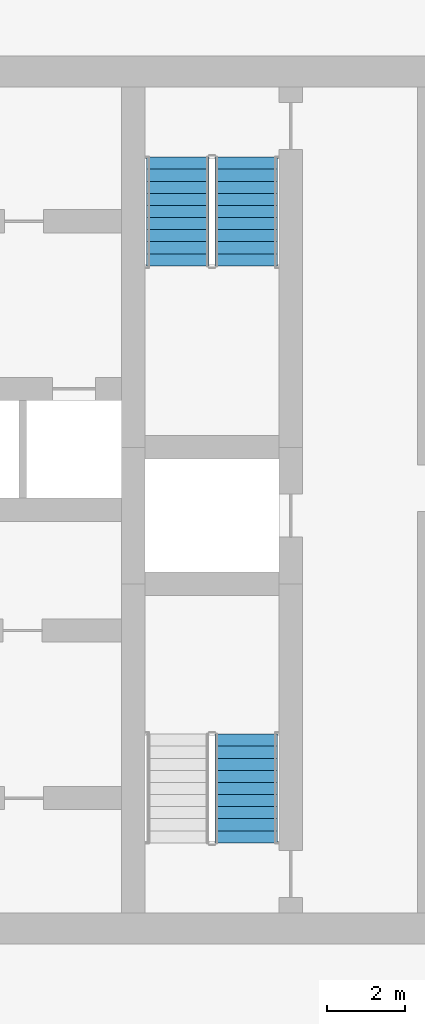
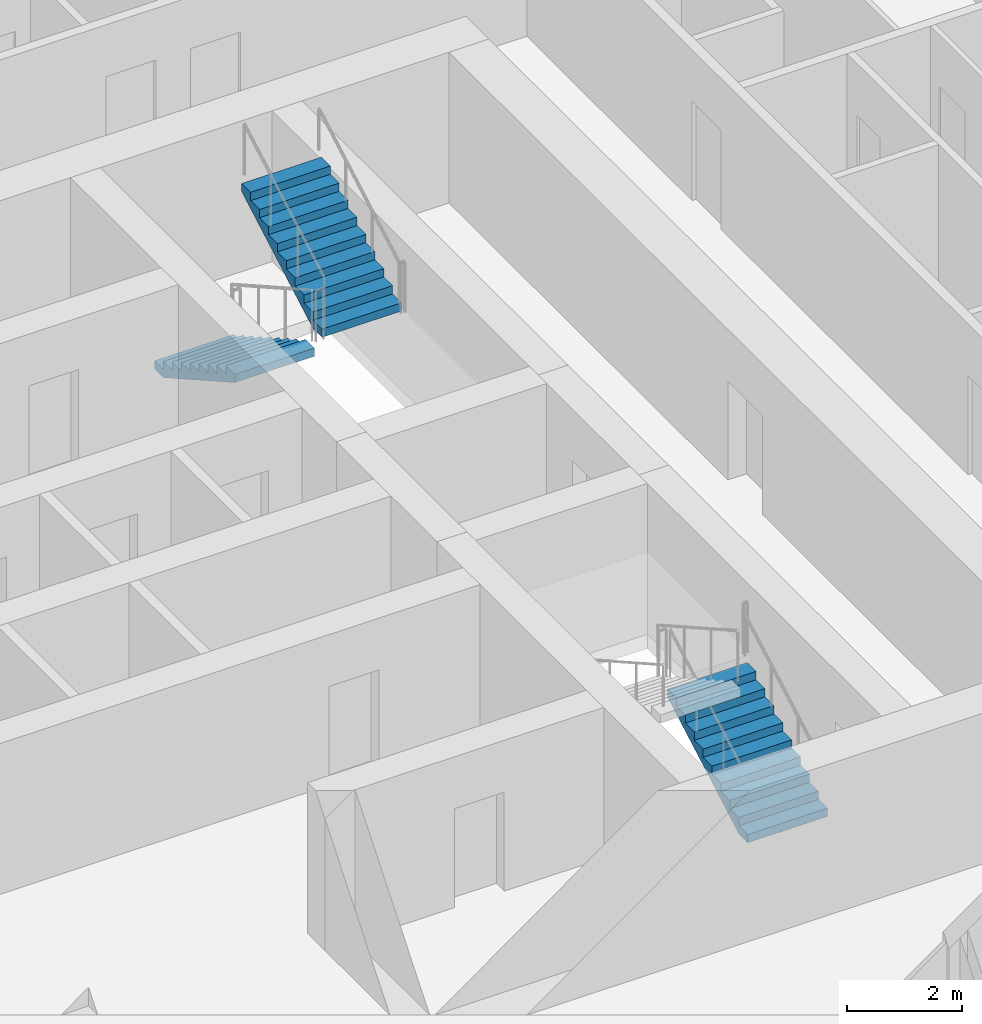
# One storey, part 16 of 22: 3 stair flights, 2 elements without a shape of their own.
"""IFC4 building model written with IfcOpenShell, lengths in metres."""

from ifc_helpers import new_model, si_unit, direction, frame, origin, place, context, subcontext, project, spatial, polyline, outline, extrude, material, type_object, element, aggregate, save


model = new_model("IFC4")

# Units and contexts
model_context = context("Model", 3, precision=1e-05, world=origin(), true_north=direction((0.0, 1.0)))
body_context = subcontext(model_context, "Body", "Model", "MODEL_VIEW")
ifc_project = project(units=[si_unit("LENGTHUNIT", "METRE"), si_unit("AREAUNIT", "SQUARE_METRE"), si_unit("VOLUMEUNIT", "CUBIC_METRE"), si_unit("PLANEANGLEUNIT", "RADIAN"), si_unit("MASSUNIT", "GRAM", prefix="KILO")], contexts=[model_context])

# Site, building, storey
site_placement = place(None, origin())
site = spatial("IfcSite", under=ifc_project, at=site_placement, CompositionType="ELEMENT")
building_placement = place(site_placement, origin())
building = spatial("IfcBuilding", under=site, at=building_placement, Name="Madar Terraces", CompositionType="ELEMENT")
storey_placement = place(building_placement, frame((0.0, 0.0, 152.5)))
storey = spatial("IfcBuildingStorey", under=building, at=storey_placement, Name="L39", CompositionType="ELEMENT", Elevation=152.5)

# Stair, stair flights
ifc_material_1 = material(Name="Concrete C50/60", Category="concrete")
stair_type_1 = type_object("IfcStairType", Name="Stair ST2 protected exit", PredefinedType="HALF_TURN_STAIR", material=ifc_material_1)
stair_1_placement = place(storey_placement, origin())
stair_1 = element("IfcStair", 1, at=stair_1_placement, inside=storey, type_object=stair_type_1, Name="L39 Protected Exit Stair ST2", PredefinedType="HALF_TURN_STAIR")
ifc_material_2 = material(Name="Concrete C50/60", Category="concrete")
stair_flight_type_1 = type_object("IfcStairFlightType", Name="Stair flight ST2-F4, 1600 wide, 10 risers", PredefinedType="STRAIGHT", material=ifc_material_2)
stair_flight_1_placement = place(storey_placement, frame((40.449951171875, 35.199951171875, 0.0), z_axis=(0.0, 0.0, 1.0), x_axis=(0.0, -1.0, 0.0)))
stair_flight_1 = element("IfcStairFlight", 2, at=stair_flight_1_placement, type_object=stair_flight_type_1, Name="ST2 flight 1", NumberOfRisers=10, NumberOfTreads=9, PredefinedType="STRAIGHT", RiserHeight=0.175, TreadLength=0.31, context=body_context, shape_type="SweptSolid", body=[
    extrude(outline(polyline([(0.0, 0.0), (0.0, 0.175048828125), (0.31005859375, 0.175048828125), (0.31005859375, 0.35009765625), (0.6201171875, 0.35009765625), (0.6201171875, 0.52490234375), (0.929931640625, 0.52490234375), (0.929931640625, 0.699951171875), (1.239990234375, 0.699951171875), (1.239990234375, 0.875), (1.550048828125, 0.875), (1.550048828125, 1.050048828125), (1.860107421875, 1.050048828125), (1.860107421875, 1.22509765625), (2.169921875, 1.22509765625), (2.169921875, 1.39990234375), (2.47998046875, 1.39990234375), (2.47998046875, 1.574951171875), (2.7900390625, 1.574951171875), (2.7900390625, 1.75), (2.7900390625, 1.40283203125), (0.304931640625, 0.0), (0.0, 0.0)])), frame((0.0, 0.800048828125, 0.0), z_axis=(0.0, -1.0, 0.0), x_axis=(1.0, 0.0, 0.0)), (0.0, 0.0, 1.0), 1.60009765625),
])
stair_flight_2_placement = place(storey_placement, frame((42.199951171875, 32.409912109375, 1.75), z_axis=(0.0, 0.0, 1.0), x_axis=(0.0, 1.0, 0.0)))
stair_flight_2 = element("IfcStairFlight", 3, at=stair_flight_2_placement, type_object=stair_flight_type_1, Name="ST2 flight 2", NumberOfRisers=10, NumberOfTreads=9, PredefinedType="STRAIGHT", RiserHeight=0.175, TreadLength=0.31, context=body_context, shape_type="SweptSolid", body=[
    extrude(outline(polyline([(0.0, 0.0), (0.0, 0.175048828125), (0.31005859375, 0.175048828125), (0.31005859375, 0.35009765625), (0.6201171875, 0.35009765625), (0.6201171875, 0.52490234375), (0.929931640625, 0.52490234375), (0.929931640625, 0.699951171875), (1.239990234375, 0.699951171875), (1.239990234375, 0.875), (1.550048828125, 0.875), (1.550048828125, 1.050048828125), (1.860107421875, 1.050048828125), (1.860107421875, 1.22509765625), (2.169921875, 1.22509765625), (2.169921875, 1.39990234375), (2.47998046875, 1.39990234375), (2.47998046875, 1.574951171875), (2.7900390625, 1.574951171875), (2.7900390625, 1.75), (2.7900390625, 1.40283203125), (0.304931640625, 0.0), (0.0, 0.0)])), frame((0.0, 0.800048828125, 0.0), z_axis=(0.0, -1.0, 0.0), x_axis=(1.0, 0.0, 0.0)), (0.0, 0.0, 1.0), 1.60009765625),
])
aggregate(stair_1, [stair_flight_1, stair_flight_2])

# Stair, stair flight
ifc_material_3 = material(Name="Concrete C50/60", Category="concrete")
stair_type_2 = type_object("IfcStairType", Name="Stair ST3 protected exit", PredefinedType="HALF_TURN_STAIR", material=ifc_material_3)
stair_2_placement = place(storey_placement, origin())
stair_2 = element("IfcStair", 4, at=stair_2_placement, inside=storey, type_object=stair_type_2, Name="L39 Protected Exit Stair ST3", PredefinedType="HALF_TURN_STAIR")
ifc_material_4 = material(Name="Concrete C50/60", Category="concrete")
stair_flight_type_2 = type_object("IfcStairFlightType", Name="Stair flight ST3-F4, 1600 wide, 10 risers", PredefinedType="STRAIGHT", material=ifc_material_4)
stair_flight_3_placement = place(storey_placement, frame((42.199951171875, 17.60009765625, 0.0), z_axis=(0.0, 0.0, 1.0), x_axis=(0.0, 1.0, 0.0)))
stair_flight_3 = element("IfcStairFlight", 5, at=stair_flight_3_placement, type_object=stair_flight_type_2, Name="ST3 flight 1", NumberOfRisers=10, NumberOfTreads=9, PredefinedType="STRAIGHT", RiserHeight=0.175, TreadLength=0.31, context=body_context, shape_type="SweptSolid", body=[
    extrude(outline(polyline([(0.0, 0.0), (0.0, 0.175048828125), (0.31005859375, 0.175048828125), (0.31005859375, 0.35009765625), (0.6201171875, 0.35009765625), (0.6201171875, 0.52490234375), (0.929931640625, 0.52490234375), (0.929931640625, 0.699951171875), (1.239990234375, 0.699951171875), (1.239990234375, 0.875), (1.550048828125, 0.875), (1.550048828125, 1.050048828125), (1.860107421875, 1.050048828125), (1.860107421875, 1.22509765625), (2.169921875, 1.22509765625), (2.169921875, 1.39990234375), (2.47998046875, 1.39990234375), (2.47998046875, 1.574951171875), (2.7900390625, 1.574951171875), (2.7900390625, 1.75), (2.7900390625, 1.40283203125), (0.304931640625, 0.0), (0.0, 0.0)])), frame((0.0, 0.800048828125, 0.0), z_axis=(0.0, -1.0, 0.0), x_axis=(1.0, 0.0, 0.0)), (0.0, 0.0, 1.0), 1.60009765625),
])
aggregate(stair_2, [stair_flight_3])

save(model, "model.ifc")
